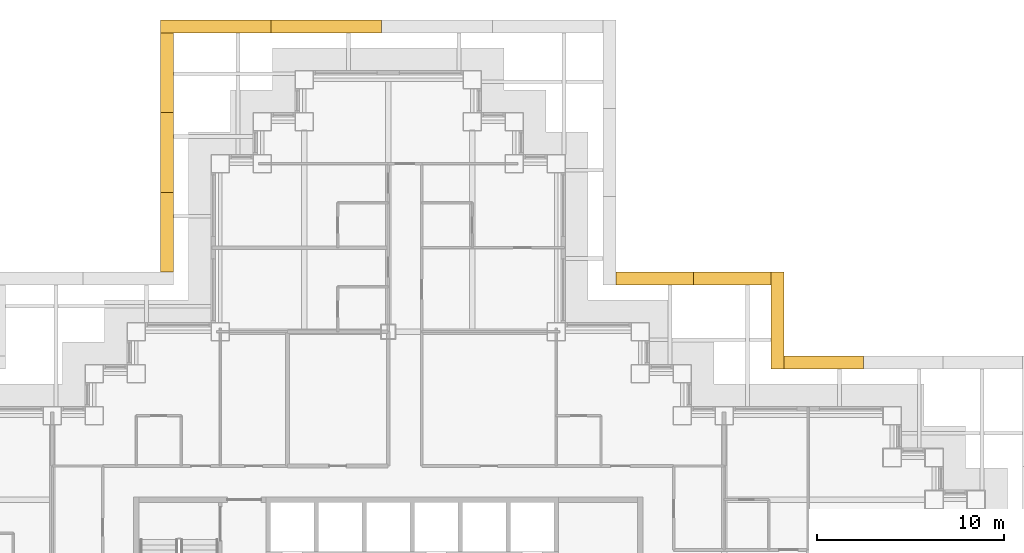
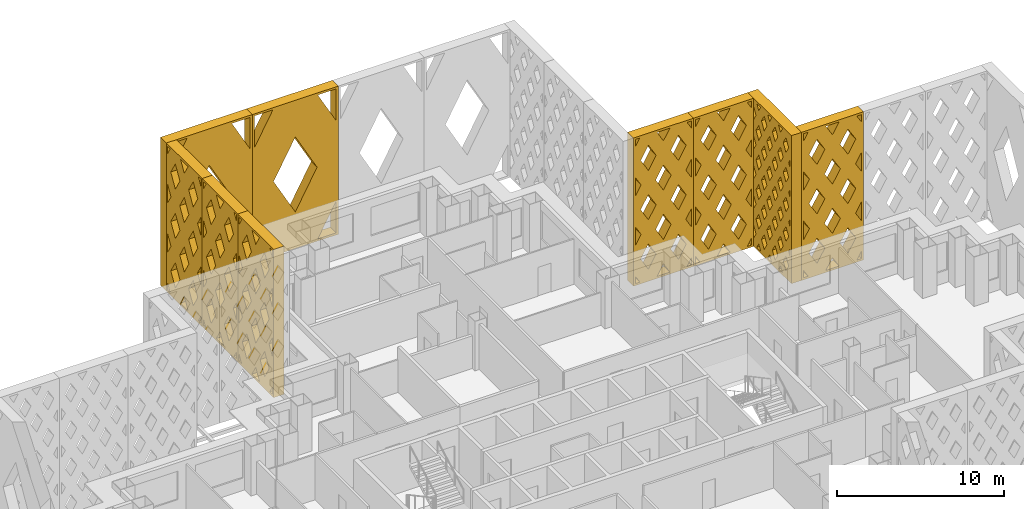
# One storey, part 18 of 19: 9 shading devices.
"""IFC4 building model written with IfcOpenShell, lengths in metres."""

from ifc_helpers import new_model, si_unit, direction, frame, origin, place, context, subcontext, project, spatial, polyline, outline, extrude, material, type_object, element, save


model = new_model("IFC4")

# Units and contexts
model_context = context("Model", 3, precision=1e-05, world=origin(), true_north=direction((0.0, 1.0)))
body_context = subcontext(model_context, "Body", "Model", "MODEL_VIEW")
ifc_project = project(units=[si_unit("LENGTHUNIT", "METRE"), si_unit("AREAUNIT", "SQUARE_METRE"), si_unit("VOLUMEUNIT", "CUBIC_METRE"), si_unit("PLANEANGLEUNIT", "RADIAN"), si_unit("MASSUNIT", "GRAM", prefix="KILO")], contexts=[model_context])

# Site, building, storey
site_placement = place(None, origin())
site = spatial("IfcSite", under=ifc_project, at=site_placement, CompositionType="ELEMENT")
building_placement = place(site_placement, origin())
building = spatial("IfcBuilding", under=site, at=building_placement, Name="Caravel Reach Hotel and Residences", CompositionType="ELEMENT")
storey_placement = place(building_placement, frame((0.0, 0.0, 63.60009765625)))
storey = spatial("IfcBuildingStorey", under=building, at=storey_placement, Name="L14", CompositionType="ELEMENT", Elevation=63.60009765625)

# Shading devices
ifc_material_1 = material(Name="Black powder-coated aluminium", Category="aluminium")
shading_device_type_1 = type_object("IfcShadingDeviceType", Name="Diamond lattice screen panel 4150 x 10800", PredefinedType="USERDEFINED", material=ifc_material_1)
shading_device_1_placement = place(storey_placement, frame((52.0, 43.0, 0.0), z_axis=(0.0, 1.0, 0.0), x_axis=(-1.0, 0.0, 0.0)))
element("IfcShadingDevice", 1, at=shading_device_1_placement, inside=storey, type_object=shading_device_type_1, Name="Lattice screen L14-L16 10.1", ObjectType="SCREEN", PredefinedType="USERDEFINED", context=body_context, shape_type="SweptSolid", body=[
    extrude(outline(polyline([(0.0, 0.0), (4.14990234375, 0.0), (4.14990234375, 10.800048828125), (0.0, 10.800048828125), (0.0, 0.0)]), holes=[polyline([(0.445556640625, 0.14990234375), (0.14990234375, 0.662841796875), (0.14990234375, 0.14990234375), (0.445556640625, 0.14990234375)]), polyline([(0.531982421875, 3.60009765625), (0.14990234375, 4.2626953125), (0.14990234375, 2.937255859375), (0.531982421875, 3.60009765625)]), polyline([(0.531982421875, 7.199951171875), (0.14990234375, 7.86279296875), (0.14990234375, 6.537353515625), (0.531982421875, 7.199951171875)]), polyline([(0.14990234375, 10.13720703125), (0.445556640625, 10.64990234375), (0.14990234375, 10.64990234375), (0.14990234375, 10.13720703125)]), polyline([(1.03759765625, 2.722900390625), (0.505615234375, 1.800048828125), (1.03759765625, 0.876953125), (1.569580078125, 1.800048828125), (1.03759765625, 2.722900390625)]), polyline([(1.03759765625, 6.322998046875), (0.505615234375, 5.39990234375), (1.03759765625, 4.47705078125), (1.569580078125, 5.39990234375), (1.03759765625, 6.322998046875)]), polyline([(1.03759765625, 9.9228515625), (0.505615234375, 9.0), (1.03759765625, 8.0771484375), (1.569580078125, 9.0), (1.03759765625, 9.9228515625)]), polyline([(2.074951171875, 0.9228515625), (1.62939453125, 0.14990234375), (2.5205078125, 0.14990234375), (2.074951171875, 0.9228515625)]), polyline([(2.074951171875, 4.52294921875), (1.54296875, 3.60009765625), (2.074951171875, 2.677001953125), (2.60693359375, 3.60009765625), (2.074951171875, 4.52294921875)]), polyline([(2.074951171875, 8.123046875), (1.54296875, 7.199951171875), (2.074951171875, 6.277099609375), (2.60693359375, 7.199951171875), (2.074951171875, 8.123046875)]), polyline([(2.074951171875, 9.876953125), (2.5205078125, 10.64990234375), (1.62939453125, 10.64990234375), (2.074951171875, 9.876953125)]), polyline([(3.112548828125, 2.722900390625), (2.58056640625, 1.800048828125), (3.112548828125, 0.876953125), (3.64453125, 1.800048828125), (3.112548828125, 2.722900390625)]), polyline([(3.112548828125, 6.322998046875), (2.58056640625, 5.39990234375), (3.112548828125, 4.47705078125), (3.64453125, 5.39990234375), (3.112548828125, 6.322998046875)]), polyline([(3.112548828125, 9.9228515625), (2.58056640625, 9.0), (3.112548828125, 8.0771484375), (3.64453125, 9.0), (3.112548828125, 9.9228515625)]), polyline([(4.0, 0.662841796875), (3.70458984375, 0.14990234375), (4.0, 0.14990234375), (4.0, 0.662841796875)]), polyline([(3.617919921875, 3.60009765625), (4.0, 2.937255859375), (4.0, 4.2626953125), (3.617919921875, 3.60009765625)]), polyline([(3.617919921875, 7.199951171875), (4.0, 6.537353515625), (4.0, 7.86279296875), (3.617919921875, 7.199951171875)]), polyline([(3.70458984375, 10.64990234375), (4.0, 10.13720703125), (4.0, 10.64990234375), (3.70458984375, 10.64990234375)])]), origin(), (0.0, 0.0, 1.0), 0.699951171875),
])
shading_device_2_placement = place(storey_placement, frame((47.85009765625, 43.0, 0.0), z_axis=(0.0, 1.0, 0.0), x_axis=(-1.0, 0.0, 0.0)))
element("IfcShadingDevice", 2, at=shading_device_2_placement, inside=storey, type_object=shading_device_type_1, Name="Lattice screen L14-L16 10.2", ObjectType="SCREEN", PredefinedType="USERDEFINED", context=body_context, shape_type="SweptSolid", body=[
    extrude(outline(polyline([(0.0, 0.0), (4.14990234375, 0.0), (4.14990234375, 10.800048828125), (0.0, 10.800048828125), (0.0, 0.0)]), holes=[polyline([(0.445556640625, 0.14990234375), (0.14990234375, 0.662841796875), (0.14990234375, 0.14990234375), (0.445556640625, 0.14990234375)]), polyline([(0.531982421875, 3.60009765625), (0.14990234375, 4.2626953125), (0.14990234375, 2.937255859375), (0.531982421875, 3.60009765625)]), polyline([(0.531982421875, 7.199951171875), (0.14990234375, 7.86279296875), (0.14990234375, 6.537353515625), (0.531982421875, 7.199951171875)]), polyline([(0.14990234375, 10.13720703125), (0.445556640625, 10.64990234375), (0.14990234375, 10.64990234375), (0.14990234375, 10.13720703125)]), polyline([(1.03759765625, 2.722900390625), (0.505615234375, 1.800048828125), (1.03759765625, 0.876953125), (1.569580078125, 1.800048828125), (1.03759765625, 2.722900390625)]), polyline([(1.03759765625, 6.322998046875), (0.505615234375, 5.39990234375), (1.03759765625, 4.47705078125), (1.569580078125, 5.39990234375), (1.03759765625, 6.322998046875)]), polyline([(1.03759765625, 9.9228515625), (0.505615234375, 9.0), (1.03759765625, 8.0771484375), (1.569580078125, 9.0), (1.03759765625, 9.9228515625)]), polyline([(2.074951171875, 0.9228515625), (1.62939453125, 0.14990234375), (2.5205078125, 0.14990234375), (2.074951171875, 0.9228515625)]), polyline([(2.074951171875, 4.52294921875), (1.54296875, 3.60009765625), (2.074951171875, 2.677001953125), (2.60693359375, 3.60009765625), (2.074951171875, 4.52294921875)]), polyline([(2.074951171875, 8.123046875), (1.54296875, 7.199951171875), (2.074951171875, 6.277099609375), (2.60693359375, 7.199951171875), (2.074951171875, 8.123046875)]), polyline([(2.074951171875, 9.876953125), (2.5205078125, 10.64990234375), (1.62939453125, 10.64990234375), (2.074951171875, 9.876953125)]), polyline([(3.112548828125, 2.722900390625), (2.58056640625, 1.800048828125), (3.112548828125, 0.876953125), (3.64453125, 1.800048828125), (3.112548828125, 2.722900390625)]), polyline([(3.112548828125, 6.322998046875), (2.58056640625, 5.39990234375), (3.112548828125, 4.47705078125), (3.64453125, 5.39990234375), (3.112548828125, 6.322998046875)]), polyline([(3.112548828125, 9.9228515625), (2.58056640625, 9.0), (3.112548828125, 8.0771484375), (3.64453125, 9.0), (3.112548828125, 9.9228515625)]), polyline([(4.0, 0.662841796875), (3.70458984375, 0.14990234375), (4.0, 0.14990234375), (4.0, 0.662841796875)]), polyline([(3.617919921875, 3.60009765625), (4.0, 2.937255859375), (4.0, 4.2626953125), (3.617919921875, 3.60009765625)]), polyline([(3.617919921875, 7.199951171875), (4.0, 6.537353515625), (4.0, 7.86279296875), (3.617919921875, 7.199951171875)]), polyline([(3.70458984375, 10.64990234375), (4.0, 10.13720703125), (4.0, 10.64990234375), (3.70458984375, 10.64990234375)])]), origin(), (0.0, 0.0, 1.0), 0.699951171875),
])
ifc_material_2 = material(Name="Black powder-coated aluminium", Category="aluminium")
shading_device_type_2 = type_object("IfcShadingDeviceType", Name="Diamond lattice screen panel 4267 x 10800", PredefinedType="USERDEFINED", material=ifc_material_2)
shading_device_3_placement = place(storey_placement, frame((56.966552734375, 38.5, 0.0), z_axis=(0.0, 1.0, 0.0), x_axis=(-1.0, 0.0, 0.0)))
element("IfcShadingDevice", 3, at=shading_device_3_placement, inside=storey, type_object=shading_device_type_2, Name="Lattice screen L14-L16 8.3", ObjectType="SCREEN", PredefinedType="USERDEFINED", context=body_context, shape_type="SweptSolid", body=[
    extrude(outline(polyline([(0.0, 0.0), (4.2666015625, 0.0), (4.2666015625, 10.800048828125), (0.0, 10.800048828125), (0.0, 0.0)]), holes=[polyline([(0.457275390625, 0.14990234375), (0.14990234375, 0.66845703125), (0.14990234375, 0.14990234375), (0.457275390625, 0.14990234375)]), polyline([(0.546142578125, 3.60009765625), (0.14990234375, 4.2685546875), (0.14990234375, 2.931396484375), (0.546142578125, 3.60009765625)]), polyline([(0.546142578125, 7.199951171875), (0.14990234375, 7.868408203125), (0.14990234375, 6.531494140625), (0.546142578125, 7.199951171875)]), polyline([(0.14990234375, 10.131591796875), (0.457275390625, 10.64990234375), (0.14990234375, 10.64990234375), (0.14990234375, 10.131591796875)]), polyline([(1.066650390625, 2.7216796875), (0.5205078125, 1.800048828125), (1.066650390625, 0.87841796875), (1.61279296875, 1.800048828125), (1.066650390625, 2.7216796875)]), polyline([(1.066650390625, 6.321533203125), (0.5205078125, 5.39990234375), (1.066650390625, 4.478271484375), (1.61279296875, 5.39990234375), (1.066650390625, 6.321533203125)]), polyline([(1.066650390625, 9.921630859375), (0.5205078125, 9.0), (1.066650390625, 8.078369140625), (1.61279296875, 9.0), (1.066650390625, 9.921630859375)]), polyline([(2.13330078125, 0.921630859375), (1.676025390625, 0.14990234375), (2.590576171875, 0.14990234375), (2.13330078125, 0.921630859375)]), polyline([(2.13330078125, 4.521728515625), (1.587158203125, 3.60009765625), (2.13330078125, 2.678466796875), (2.679443359375, 3.60009765625), (2.13330078125, 4.521728515625)]), polyline([(2.13330078125, 8.12158203125), (1.587158203125, 7.199951171875), (2.13330078125, 6.2783203125), (2.679443359375, 7.199951171875), (2.13330078125, 8.12158203125)]), polyline([(2.13330078125, 9.87841796875), (2.590576171875, 10.64990234375), (1.676025390625, 10.64990234375), (2.13330078125, 9.87841796875)]), polyline([(3.199951171875, 2.7216796875), (2.65380859375, 1.800048828125), (3.199951171875, 0.87841796875), (3.74609375, 1.800048828125), (3.199951171875, 2.7216796875)]), polyline([(3.199951171875, 6.321533203125), (2.65380859375, 5.39990234375), (3.199951171875, 4.478271484375), (3.74609375, 5.39990234375), (3.199951171875, 6.321533203125)]), polyline([(3.199951171875, 9.921630859375), (2.65380859375, 9.0), (3.199951171875, 8.078369140625), (3.74609375, 9.0), (3.199951171875, 9.921630859375)]), polyline([(4.11669921875, 0.66845703125), (3.809326171875, 0.14990234375), (4.11669921875, 0.14990234375), (4.11669921875, 0.66845703125)]), polyline([(3.720458984375, 3.60009765625), (4.11669921875, 2.931396484375), (4.11669921875, 4.2685546875), (3.720458984375, 3.60009765625)]), polyline([(3.720458984375, 7.199951171875), (4.11669921875, 6.531494140625), (4.11669921875, 7.868408203125), (3.720458984375, 7.199951171875)]), polyline([(3.809326171875, 10.64990234375), (4.11669921875, 10.131591796875), (4.11669921875, 10.64990234375), (3.809326171875, 10.64990234375)])]), origin(), (0.0, 0.0, 1.0), 0.699951171875),
])
shading_device_4_placement = place(storey_placement, frame((20.0, 56.5, 0.0), z_axis=(-1.0, 0.0, 0.0), x_axis=(0.0, -1.0, 0.0)))
element("IfcShadingDevice", 4, at=shading_device_4_placement, inside=storey, type_object=shading_device_type_2, Name="Lattice screen L14-L16 13.1", ObjectType="SCREEN", PredefinedType="USERDEFINED", context=body_context, shape_type="SweptSolid", body=[
    extrude(outline(polyline([(0.0, 0.0), (4.2666015625, 0.0), (4.2666015625, 10.800048828125), (0.0, 10.800048828125), (0.0, 0.0)]), holes=[polyline([(0.457275390625, 0.14990234375), (0.14990234375, 0.66845703125), (0.14990234375, 0.14990234375), (0.457275390625, 0.14990234375)]), polyline([(0.546142578125, 3.60009765625), (0.14990234375, 4.2685546875), (0.14990234375, 2.931396484375), (0.546142578125, 3.60009765625)]), polyline([(0.546142578125, 7.199951171875), (0.14990234375, 7.868408203125), (0.14990234375, 6.531494140625), (0.546142578125, 7.199951171875)]), polyline([(0.14990234375, 10.131591796875), (0.457275390625, 10.64990234375), (0.14990234375, 10.64990234375), (0.14990234375, 10.131591796875)]), polyline([(1.066650390625, 2.7216796875), (0.5205078125, 1.800048828125), (1.066650390625, 0.87841796875), (1.61279296875, 1.800048828125), (1.066650390625, 2.7216796875)]), polyline([(1.066650390625, 6.321533203125), (0.5205078125, 5.39990234375), (1.066650390625, 4.478271484375), (1.61279296875, 5.39990234375), (1.066650390625, 6.321533203125)]), polyline([(1.066650390625, 9.921630859375), (0.5205078125, 9.0), (1.066650390625, 8.078369140625), (1.61279296875, 9.0), (1.066650390625, 9.921630859375)]), polyline([(2.13330078125, 0.921630859375), (1.676025390625, 0.14990234375), (2.590576171875, 0.14990234375), (2.13330078125, 0.921630859375)]), polyline([(2.13330078125, 4.521728515625), (1.587158203125, 3.60009765625), (2.13330078125, 2.678466796875), (2.679443359375, 3.60009765625), (2.13330078125, 4.521728515625)]), polyline([(2.13330078125, 8.12158203125), (1.587158203125, 7.199951171875), (2.13330078125, 6.2783203125), (2.679443359375, 7.199951171875), (2.13330078125, 8.12158203125)]), polyline([(2.13330078125, 9.87841796875), (2.590576171875, 10.64990234375), (1.676025390625, 10.64990234375), (2.13330078125, 9.87841796875)]), polyline([(3.199951171875, 2.7216796875), (2.65380859375, 1.800048828125), (3.199951171875, 0.87841796875), (3.74609375, 1.800048828125), (3.199951171875, 2.7216796875)]), polyline([(3.199951171875, 6.321533203125), (2.65380859375, 5.39990234375), (3.199951171875, 4.478271484375), (3.74609375, 5.39990234375), (3.199951171875, 6.321533203125)]), polyline([(3.199951171875, 9.921630859375), (2.65380859375, 9.0), (3.199951171875, 8.078369140625), (3.74609375, 9.0), (3.199951171875, 9.921630859375)]), polyline([(4.11669921875, 0.66845703125), (3.809326171875, 0.14990234375), (4.11669921875, 0.14990234375), (4.11669921875, 0.66845703125)]), polyline([(3.720458984375, 3.60009765625), (4.11669921875, 2.931396484375), (4.11669921875, 4.2685546875), (3.720458984375, 3.60009765625)]), polyline([(3.720458984375, 7.199951171875), (4.11669921875, 6.531494140625), (4.11669921875, 7.868408203125), (3.720458984375, 7.199951171875)]), polyline([(3.809326171875, 10.64990234375), (4.11669921875, 10.131591796875), (4.11669921875, 10.64990234375), (3.809326171875, 10.64990234375)])]), origin(), (0.0, 0.0, 1.0), 0.699951171875),
])
shading_device_5_placement = place(storey_placement, frame((20.0, 52.2333984375, 0.0), z_axis=(-1.0, 0.0, 0.0), x_axis=(0.0, -1.0, 0.0)))
element("IfcShadingDevice", 5, at=shading_device_5_placement, inside=storey, type_object=shading_device_type_2, Name="Lattice screen L14-L16 13.2", ObjectType="SCREEN", PredefinedType="USERDEFINED", context=body_context, shape_type="SweptSolid", body=[
    extrude(outline(polyline([(0.0, 0.0), (4.2666015625, 0.0), (4.2666015625, 10.800048828125), (0.0, 10.800048828125), (0.0, 0.0)]), holes=[polyline([(0.457275390625, 0.14990234375), (0.14990234375, 0.66845703125), (0.14990234375, 0.14990234375), (0.457275390625, 0.14990234375)]), polyline([(0.546142578125, 3.60009765625), (0.14990234375, 4.2685546875), (0.14990234375, 2.931396484375), (0.546142578125, 3.60009765625)]), polyline([(0.546142578125, 7.199951171875), (0.14990234375, 7.868408203125), (0.14990234375, 6.531494140625), (0.546142578125, 7.199951171875)]), polyline([(0.14990234375, 10.131591796875), (0.457275390625, 10.64990234375), (0.14990234375, 10.64990234375), (0.14990234375, 10.131591796875)]), polyline([(1.066650390625, 2.7216796875), (0.5205078125, 1.800048828125), (1.066650390625, 0.87841796875), (1.61279296875, 1.800048828125), (1.066650390625, 2.7216796875)]), polyline([(1.066650390625, 6.321533203125), (0.5205078125, 5.39990234375), (1.066650390625, 4.478271484375), (1.61279296875, 5.39990234375), (1.066650390625, 6.321533203125)]), polyline([(1.066650390625, 9.921630859375), (0.5205078125, 9.0), (1.066650390625, 8.078369140625), (1.61279296875, 9.0), (1.066650390625, 9.921630859375)]), polyline([(2.13330078125, 0.921630859375), (1.676025390625, 0.14990234375), (2.590576171875, 0.14990234375), (2.13330078125, 0.921630859375)]), polyline([(2.13330078125, 4.521728515625), (1.587158203125, 3.60009765625), (2.13330078125, 2.678466796875), (2.679443359375, 3.60009765625), (2.13330078125, 4.521728515625)]), polyline([(2.13330078125, 8.12158203125), (1.587158203125, 7.199951171875), (2.13330078125, 6.2783203125), (2.679443359375, 7.199951171875), (2.13330078125, 8.12158203125)]), polyline([(2.13330078125, 9.87841796875), (2.590576171875, 10.64990234375), (1.676025390625, 10.64990234375), (2.13330078125, 9.87841796875)]), polyline([(3.199951171875, 2.7216796875), (2.65380859375, 1.800048828125), (3.199951171875, 0.87841796875), (3.74609375, 1.800048828125), (3.199951171875, 2.7216796875)]), polyline([(3.199951171875, 6.321533203125), (2.65380859375, 5.39990234375), (3.199951171875, 4.478271484375), (3.74609375, 5.39990234375), (3.199951171875, 6.321533203125)]), polyline([(3.199951171875, 9.921630859375), (2.65380859375, 9.0), (3.199951171875, 8.078369140625), (3.74609375, 9.0), (3.199951171875, 9.921630859375)]), polyline([(4.11669921875, 0.66845703125), (3.809326171875, 0.14990234375), (4.11669921875, 0.14990234375), (4.11669921875, 0.66845703125)]), polyline([(3.720458984375, 3.60009765625), (4.11669921875, 2.931396484375), (4.11669921875, 4.2685546875), (3.720458984375, 3.60009765625)]), polyline([(3.720458984375, 7.199951171875), (4.11669921875, 6.531494140625), (4.11669921875, 7.868408203125), (3.720458984375, 7.199951171875)]), polyline([(3.809326171875, 10.64990234375), (4.11669921875, 10.131591796875), (4.11669921875, 10.64990234375), (3.809326171875, 10.64990234375)])]), origin(), (0.0, 0.0, 1.0), 0.699951171875),
])
shading_device_6_placement = place(storey_placement, frame((20.0, 47.966552734375, 0.0), z_axis=(-1.0, 0.0, 0.0), x_axis=(0.0, -1.0, 0.0)))
element("IfcShadingDevice", 6, at=shading_device_6_placement, inside=storey, type_object=shading_device_type_2, Name="Lattice screen L14-L16 13.3", ObjectType="SCREEN", PredefinedType="USERDEFINED", context=body_context, shape_type="SweptSolid", body=[
    extrude(outline(polyline([(0.0, 0.0), (4.2666015625, 0.0), (4.2666015625, 10.800048828125), (0.0, 10.800048828125), (0.0, 0.0)]), holes=[polyline([(0.457275390625, 0.14990234375), (0.14990234375, 0.66845703125), (0.14990234375, 0.14990234375), (0.457275390625, 0.14990234375)]), polyline([(0.546142578125, 3.60009765625), (0.14990234375, 4.2685546875), (0.14990234375, 2.931396484375), (0.546142578125, 3.60009765625)]), polyline([(0.546142578125, 7.199951171875), (0.14990234375, 7.868408203125), (0.14990234375, 6.531494140625), (0.546142578125, 7.199951171875)]), polyline([(0.14990234375, 10.131591796875), (0.457275390625, 10.64990234375), (0.14990234375, 10.64990234375), (0.14990234375, 10.131591796875)]), polyline([(1.066650390625, 2.7216796875), (0.5205078125, 1.800048828125), (1.066650390625, 0.87841796875), (1.61279296875, 1.800048828125), (1.066650390625, 2.7216796875)]), polyline([(1.066650390625, 6.321533203125), (0.5205078125, 5.39990234375), (1.066650390625, 4.478271484375), (1.61279296875, 5.39990234375), (1.066650390625, 6.321533203125)]), polyline([(1.066650390625, 9.921630859375), (0.5205078125, 9.0), (1.066650390625, 8.078369140625), (1.61279296875, 9.0), (1.066650390625, 9.921630859375)]), polyline([(2.13330078125, 0.921630859375), (1.676025390625, 0.14990234375), (2.590576171875, 0.14990234375), (2.13330078125, 0.921630859375)]), polyline([(2.13330078125, 4.521728515625), (1.587158203125, 3.60009765625), (2.13330078125, 2.678466796875), (2.679443359375, 3.60009765625), (2.13330078125, 4.521728515625)]), polyline([(2.13330078125, 8.12158203125), (1.587158203125, 7.199951171875), (2.13330078125, 6.2783203125), (2.679443359375, 7.199951171875), (2.13330078125, 8.12158203125)]), polyline([(2.13330078125, 9.87841796875), (2.590576171875, 10.64990234375), (1.676025390625, 10.64990234375), (2.13330078125, 9.87841796875)]), polyline([(3.199951171875, 2.7216796875), (2.65380859375, 1.800048828125), (3.199951171875, 0.87841796875), (3.74609375, 1.800048828125), (3.199951171875, 2.7216796875)]), polyline([(3.199951171875, 6.321533203125), (2.65380859375, 5.39990234375), (3.199951171875, 4.478271484375), (3.74609375, 5.39990234375), (3.199951171875, 6.321533203125)]), polyline([(3.199951171875, 9.921630859375), (2.65380859375, 9.0), (3.199951171875, 8.078369140625), (3.74609375, 9.0), (3.199951171875, 9.921630859375)]), polyline([(4.11669921875, 0.66845703125), (3.809326171875, 0.14990234375), (4.11669921875, 0.14990234375), (4.11669921875, 0.66845703125)]), polyline([(3.720458984375, 3.60009765625), (4.11669921875, 2.931396484375), (4.11669921875, 4.2685546875), (3.720458984375, 3.60009765625)]), polyline([(3.720458984375, 7.199951171875), (4.11669921875, 6.531494140625), (4.11669921875, 7.868408203125), (3.720458984375, 7.199951171875)]), polyline([(3.809326171875, 10.64990234375), (4.11669921875, 10.131591796875), (4.11669921875, 10.64990234375), (3.809326171875, 10.64990234375)])]), origin(), (0.0, 0.0, 1.0), 0.699951171875),
])
ifc_material_3 = material(Name="Black powder-coated aluminium", Category="aluminium")
shading_device_type_3 = type_object("IfcShadingDeviceType", Name="Diamond lattice screen panel 5200 x 10800", PredefinedType="USERDEFINED", material=ifc_material_3)
shading_device_7_placement = place(storey_placement, frame((52.0, 38.5, 0.0), z_axis=(1.0, 0.0, 0.0), x_axis=(0.0, 1.0, 0.0)))
element("IfcShadingDevice", 7, at=shading_device_7_placement, inside=storey, type_object=shading_device_type_3, Name="Lattice screen L14-L16 9.1", ObjectType="SCREEN", PredefinedType="USERDEFINED", context=body_context, shape_type="SweptSolid", body=[
    extrude(outline(polyline([(0.0, 0.0), (5.199951171875, 0.0), (5.199951171875, 10.800048828125), (0.0, 10.800048828125), (0.0, 0.0)]), holes=[polyline([(0.3271484375, 2.159912109375), (0.14990234375, 2.454345703125), (0.14990234375, 1.86572265625), (0.3271484375, 2.159912109375)]), polyline([(0.3271484375, 4.320068359375), (0.14990234375, 4.6142578125), (0.14990234375, 4.025634765625), (0.3271484375, 4.320068359375)]), polyline([(0.3271484375, 6.47998046875), (0.14990234375, 6.774169921875), (0.14990234375, 6.185791015625), (0.3271484375, 6.47998046875)]), polyline([(0.3271484375, 8.639892578125), (0.14990234375, 8.934326171875), (0.14990234375, 8.345703125), (0.3271484375, 8.639892578125)]), polyline([(0.64990234375, 1.62353515625), (0.322998046875, 1.080078125), (0.64990234375, 0.536376953125), (0.97705078125, 1.080078125), (0.64990234375, 1.62353515625)]), polyline([(0.64990234375, 3.783447265625), (0.322998046875, 3.239990234375), (0.64990234375, 2.696533203125), (0.97705078125, 3.239990234375), (0.64990234375, 3.783447265625)]), polyline([(0.64990234375, 5.943603515625), (0.322998046875, 5.39990234375), (0.64990234375, 4.8564453125), (0.97705078125, 5.39990234375), (0.64990234375, 5.943603515625)]), polyline([(0.64990234375, 8.103515625), (0.322998046875, 7.56005859375), (0.64990234375, 7.016357421875), (0.97705078125, 7.56005859375), (0.64990234375, 8.103515625)]), polyline([(0.64990234375, 10.263427734375), (0.322998046875, 9.719970703125), (0.64990234375, 9.176513671875), (0.97705078125, 9.719970703125), (0.64990234375, 10.263427734375)]), polyline([(1.300048828125, 0.54345703125), (1.063232421875, 0.14990234375), (1.536865234375, 0.14990234375), (1.300048828125, 0.54345703125)]), polyline([(1.300048828125, 2.70361328125), (0.972900390625, 2.159912109375), (1.300048828125, 1.616455078125), (1.627197265625, 2.159912109375), (1.300048828125, 2.70361328125)]), polyline([(1.300048828125, 4.863525390625), (0.972900390625, 4.320068359375), (1.300048828125, 3.7763671875), (1.627197265625, 4.320068359375), (1.300048828125, 4.863525390625)]), polyline([(1.300048828125, 7.0234375), (0.972900390625, 6.47998046875), (1.300048828125, 5.9365234375), (1.627197265625, 6.47998046875), (1.300048828125, 7.0234375)]), polyline([(1.300048828125, 9.18359375), (0.972900390625, 8.639892578125), (1.300048828125, 8.096435546875), (1.627197265625, 8.639892578125), (1.300048828125, 9.18359375)]), polyline([(1.300048828125, 10.256591796875), (1.536865234375, 10.64990234375), (1.063232421875, 10.64990234375), (1.300048828125, 10.256591796875)]), polyline([(1.949951171875, 1.62353515625), (1.622802734375, 1.080078125), (1.949951171875, 0.536376953125), (2.277099609375, 1.080078125), (1.949951171875, 1.62353515625)]), polyline([(1.949951171875, 3.783447265625), (1.622802734375, 3.239990234375), (1.949951171875, 2.696533203125), (2.277099609375, 3.239990234375), (1.949951171875, 3.783447265625)]), polyline([(1.949951171875, 5.943603515625), (1.622802734375, 5.39990234375), (1.949951171875, 4.8564453125), (2.277099609375, 5.39990234375), (1.949951171875, 5.943603515625)]), polyline([(1.949951171875, 8.103515625), (1.622802734375, 7.56005859375), (1.949951171875, 7.016357421875), (2.277099609375, 7.56005859375), (1.949951171875, 8.103515625)]), polyline([(1.949951171875, 10.263427734375), (1.622802734375, 9.719970703125), (1.949951171875, 9.176513671875), (2.277099609375, 9.719970703125), (1.949951171875, 10.263427734375)]), polyline([(2.60009765625, 0.54345703125), (2.363037109375, 0.14990234375), (2.8369140625, 0.14990234375), (2.60009765625, 0.54345703125)]), polyline([(2.60009765625, 2.70361328125), (2.27294921875, 2.159912109375), (2.60009765625, 1.616455078125), (2.927001953125, 2.159912109375), (2.60009765625, 2.70361328125)]), polyline([(2.60009765625, 4.863525390625), (2.27294921875, 4.320068359375), (2.60009765625, 3.7763671875), (2.927001953125, 4.320068359375), (2.60009765625, 4.863525390625)]), polyline([(2.60009765625, 7.0234375), (2.27294921875, 6.47998046875), (2.60009765625, 5.9365234375), (2.927001953125, 6.47998046875), (2.60009765625, 7.0234375)]), polyline([(2.60009765625, 9.18359375), (2.27294921875, 8.639892578125), (2.60009765625, 8.096435546875), (2.927001953125, 8.639892578125), (2.60009765625, 9.18359375)]), polyline([(2.60009765625, 10.256591796875), (2.8369140625, 10.64990234375), (2.363037109375, 10.64990234375), (2.60009765625, 10.256591796875)]), polyline([(3.25, 1.62353515625), (2.9228515625, 1.080078125), (3.25, 0.536376953125), (3.5771484375, 1.080078125), (3.25, 1.62353515625)]), polyline([(3.25, 3.783447265625), (2.9228515625, 3.239990234375), (3.25, 2.696533203125), (3.5771484375, 3.239990234375), (3.25, 3.783447265625)]), polyline([(3.25, 5.943603515625), (2.9228515625, 5.39990234375), (3.25, 4.8564453125), (3.5771484375, 5.39990234375), (3.25, 5.943603515625)]), polyline([(3.25, 8.103515625), (2.9228515625, 7.56005859375), (3.25, 7.016357421875), (3.5771484375, 7.56005859375), (3.25, 8.103515625)]), polyline([(3.25, 10.263427734375), (2.9228515625, 9.719970703125), (3.25, 9.176513671875), (3.5771484375, 9.719970703125), (3.25, 10.263427734375)]), polyline([(3.89990234375, 0.54345703125), (3.6630859375, 0.14990234375), (4.136962890625, 0.14990234375), (3.89990234375, 0.54345703125)]), polyline([(3.89990234375, 2.70361328125), (3.572998046875, 2.159912109375), (3.89990234375, 1.616455078125), (4.22705078125, 2.159912109375), (3.89990234375, 2.70361328125)]), polyline([(3.89990234375, 4.863525390625), (3.572998046875, 4.320068359375), (3.89990234375, 3.7763671875), (4.22705078125, 4.320068359375), (3.89990234375, 4.863525390625)]), polyline([(3.89990234375, 7.0234375), (3.572998046875, 6.47998046875), (3.89990234375, 5.9365234375), (4.22705078125, 6.47998046875), (3.89990234375, 7.0234375)]), polyline([(3.89990234375, 9.18359375), (3.572998046875, 8.639892578125), (3.89990234375, 8.096435546875), (4.22705078125, 8.639892578125), (3.89990234375, 9.18359375)]), polyline([(3.89990234375, 10.256591796875), (4.136962890625, 10.64990234375), (3.6630859375, 10.64990234375), (3.89990234375, 10.256591796875)]), polyline([(4.550048828125, 1.62353515625), (4.222900390625, 1.080078125), (4.550048828125, 0.536376953125), (4.877197265625, 1.080078125), (4.550048828125, 1.62353515625)]), polyline([(4.550048828125, 3.783447265625), (4.222900390625, 3.239990234375), (4.550048828125, 2.696533203125), (4.877197265625, 3.239990234375), (4.550048828125, 3.783447265625)]), polyline([(4.550048828125, 5.943603515625), (4.222900390625, 5.39990234375), (4.550048828125, 4.8564453125), (4.877197265625, 5.39990234375), (4.550048828125, 5.943603515625)]), polyline([(4.550048828125, 8.103515625), (4.222900390625, 7.56005859375), (4.550048828125, 7.016357421875), (4.877197265625, 7.56005859375), (4.550048828125, 8.103515625)]), polyline([(4.550048828125, 10.263427734375), (4.222900390625, 9.719970703125), (4.550048828125, 9.176513671875), (4.877197265625, 9.719970703125), (4.550048828125, 10.263427734375)]), polyline([(4.872802734375, 2.159912109375), (5.050048828125, 1.86572265625), (5.050048828125, 2.454345703125), (4.872802734375, 2.159912109375)]), polyline([(4.872802734375, 4.320068359375), (5.050048828125, 4.025634765625), (5.050048828125, 4.6142578125), (4.872802734375, 4.320068359375)]), polyline([(4.872802734375, 6.47998046875), (5.050048828125, 6.185791015625), (5.050048828125, 6.774169921875), (4.872802734375, 6.47998046875)]), polyline([(4.872802734375, 8.639892578125), (5.050048828125, 8.345703125), (5.050048828125, 8.934326171875), (4.872802734375, 8.639892578125)])]), origin(), (0.0, 0.0, 1.0), 0.699951171875),
])
ifc_material_4 = material(Name="Black powder-coated aluminium", Category="aluminium")
shading_device_type_4 = type_object("IfcShadingDeviceType", Name="Diamond lattice screen panel 5925 x 10800", PredefinedType="USERDEFINED", material=ifc_material_4)
for number, where, z_axis, x_axis, name in (
    (8, (31.14990234375, 56.5, 0.0), (0.0, 1.0, 0.0), (-1.0, 0.0, 0.0), "Lattice screen L14-L16 12.3"),
    (9, (25.22509765625, 56.5, 0.0), (0.0, 1.0, 0.0), (-1.0, 0.0, 0.0), "Lattice screen L14-L16 12.4"),
):
    element("IfcShadingDevice", number, at=place(storey_placement, frame(where, z_axis=z_axis, x_axis=x_axis)), inside=storey, type_object=shading_device_type_4, Name=name, ObjectType="SCREEN", PredefinedType="USERDEFINED", context=body_context, shape_type="SweptSolid", body=[
        extrude(outline(polyline([(0.0, 0.0), (5.925048828125, 0.0), (5.925048828125, 10.800048828125), (0.0, 10.800048828125), (0.0, 0.0)]), holes=[polyline([(1.41845703125, 0.14990234375), (0.14990234375, 2.462158203125), (0.14990234375, 0.14990234375), (1.41845703125, 0.14990234375)]), polyline([(0.14990234375, 8.337646484375), (1.41845703125, 10.64990234375), (0.14990234375, 10.64990234375), (0.14990234375, 8.337646484375)]), polyline([(2.96240234375, 8.1357421875), (1.461669921875, 5.39990234375), (2.96240234375, 2.664306640625), (4.46337890625, 5.39990234375), (2.96240234375, 8.1357421875)]), polyline([(5.77490234375, 2.462158203125), (4.506591796875, 0.14990234375), (5.77490234375, 0.14990234375), (5.77490234375, 2.462158203125)]), polyline([(4.506591796875, 10.64990234375), (5.77490234375, 8.337646484375), (5.77490234375, 10.64990234375), (4.506591796875, 10.64990234375)])]), origin(), (0.0, 0.0, 1.0), 0.699951171875),
    ])

save(model, "model.ifc")
